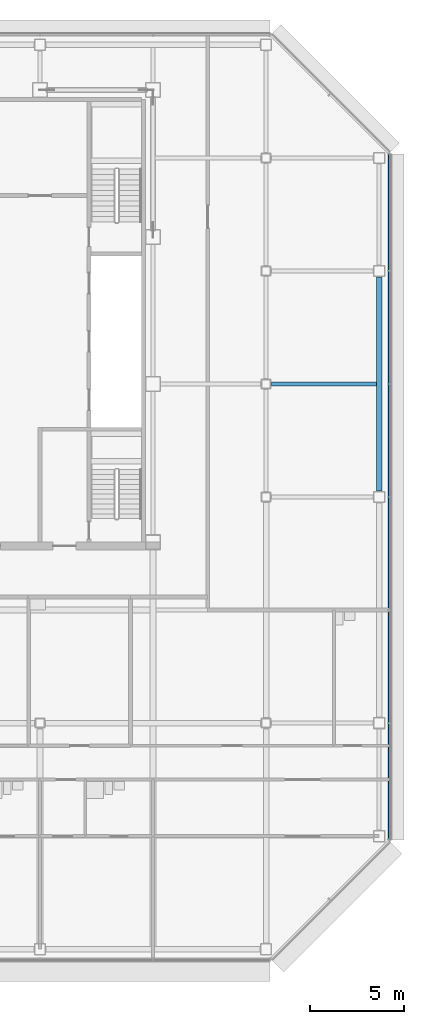
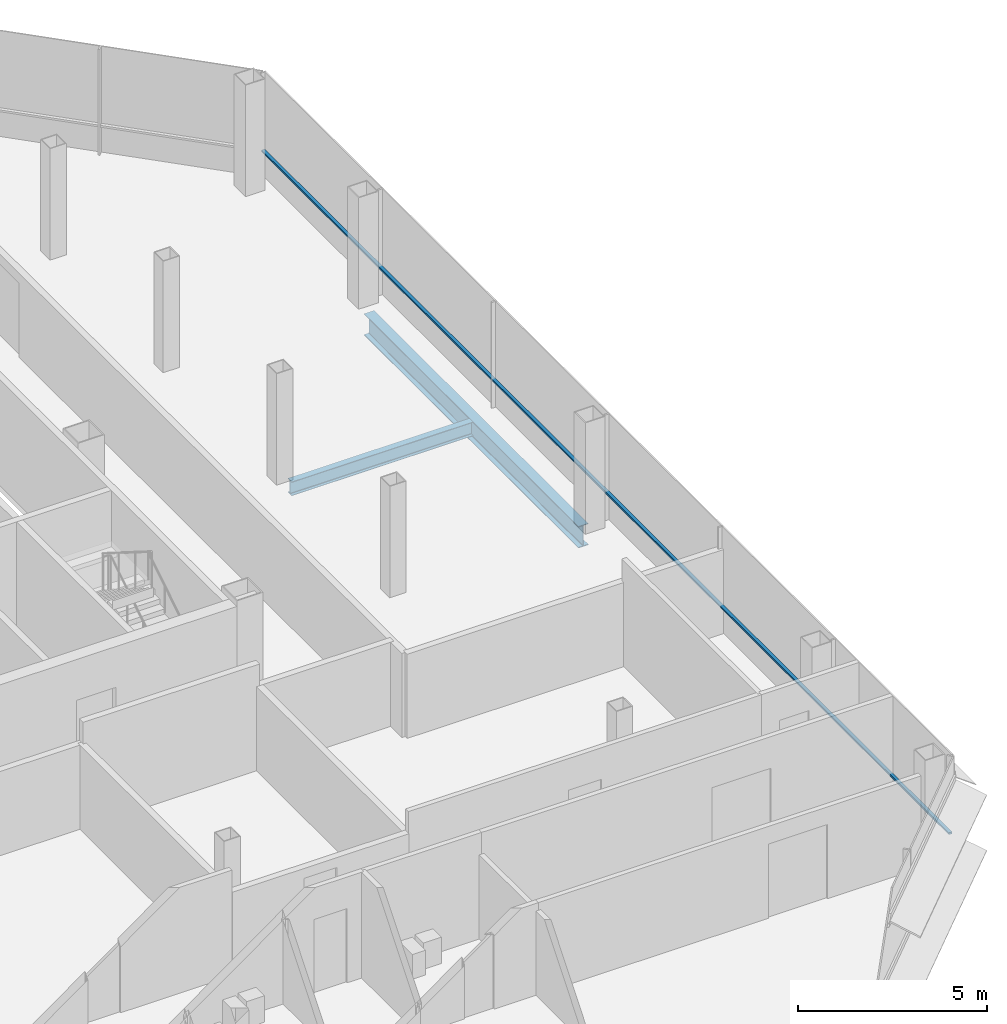
# One storey, part 18 of 27: 2 beams, 1 member, 1 element without a shape of its own.
"""IFC4 building model written with IfcOpenShell, lengths in metres."""

from ifc_helpers import new_model, si_unit, direction, frame, origin, origin_2d, place, context, subcontext, project, spatial, rectangle, i_section, extrude, material, material_profile, profile_set, type_object, element, aggregate, save


model = new_model("IFC4")

# Units and contexts
model_context = context("Model", 3, precision=1e-05, world=origin(), true_north=direction((0.0, 1.0)))
body_context = subcontext(model_context, "Body", "Model", "MODEL_VIEW")
ifc_project = project(units=[si_unit("LENGTHUNIT", "METRE"), si_unit("AREAUNIT", "SQUARE_METRE"), si_unit("VOLUMEUNIT", "CUBIC_METRE"), si_unit("PLANEANGLEUNIT", "RADIAN"), si_unit("MASSUNIT", "GRAM", prefix="KILO")], contexts=[model_context])

# Site, building, storey
site_placement = place(None, origin())
site = spatial("IfcSite", under=ifc_project, at=site_placement, CompositionType="ELEMENT")
building_placement = place(site_placement, origin())
building = spatial("IfcBuilding", under=site, at=building_placement, Name="Sorahane Residences", CompositionType="ELEMENT")
storey_placement = place(building_placement, frame((0.0, 0.0, 246.800048828125)))
storey = spatial("IfcBuildingStorey", under=building, at=storey_placement, Name="L58", CompositionType="ELEMENT", Elevation=246.800048828125)

# Curtain wall, member
ifc_material_1 = material(Name="Dark low-e glass and black anodised aluminium", Category="aluminium")
curtain_wall_type = type_object("IfcCurtainWallType", Name="Curtain wall CW-1 Typical unitised wall", PredefinedType="NOTDEFINED", material=ifc_material_1)
curtain_wall_placement = place(storey_placement, origin())
curtain_wall = element("IfcCurtainWall", 1, at=curtain_wall_placement, inside=storey, type_object=curtain_wall_type, Name="CW-1 curtain wall L58 E1", PredefinedType="NOTDEFINED")
ifc_material_2 = material(Name="Black anodised aluminium", Category="aluminium")
ifc_material_profile_1 = material_profile(ifc_material_2, rectangle(XDim=0.10009765625, YDim=0.06005859375, at=origin_2d()), Name="Curtain wall transom CW-1 black anodised aluminium 60x100")
ifc_profile_set_1 = profile_set([ifc_material_profile_1], Name="Black anodised aluminium")
member_type = type_object("IfcMemberType", Name="Curtain wall transom CW-1 black anodised aluminium 60x100", PredefinedType="USERDEFINED", material=ifc_profile_set_1)
member_placement = place(storey_placement, frame((54.530029296875, 5.801513671875, 0.89990234375), z_axis=(0.0, 1.0, 0.0), x_axis=(-1.0, 0.0, 0.0)))
member = element("IfcMember", 2, at=member_placement, type_object=member_type, Name="CW-1 transom L58 E1", ObjectType="TRANSOM", PredefinedType="USERDEFINED", context=body_context, shape_type="SweptSolid", body=[
    extrude(rectangle(XDim=0.10009765625, YDim=0.06005859375, at=origin_2d()), origin(), (0.0, 0.0, 1.0), 36.39697265625),
])
aggregate(curtain_wall, [member])

# Beams
ifc_material_3 = material(Name="Steel Q355B", Category="steel")
ifc_material_profile_2 = material_profile(ifc_material_3, i_section(OverallWidth=0.199951171875, OverallDepth=0.449951171875, WebThickness=0.009033203125, FlangeThickness=0.013916015625, FilletRadius=0.02001953125, at=origin_2d()), Name="HN 450x200x9x14")
ifc_profile_set_2 = profile_set([ifc_material_profile_2], Name="Steel Q355B")
beam_type_1 = type_object("IfcBeamType", Name="Steel floor beam HN 450x200x9x14 Q355B", PredefinedType="BEAM", material=ifc_profile_set_2)
beam_1_placement = place(storey_placement, frame((48.300048828125, 30.0, -0.405029296875), z_axis=(1.0, 0.0, 0.0), x_axis=(0.0, 1.0, 0.0)))
element("IfcBeam", 3, at=beam_1_placement, inside=storey, type_object=beam_type_1, Name="Beam L58 088", PredefinedType="BEAM", context=body_context, shape_type="SweptSolid", body=[
    extrude(i_section(OverallWidth=0.199951171875, OverallDepth=0.449951171875, WebThickness=0.009033203125, FlangeThickness=0.013916015625, FilletRadius=0.02001953125, at=origin_2d()), origin(), (0.0, 0.0, 1.0), 5.550048828125),
])
ifc_material_4 = material(Name="Steel Q355B", Category="steel")
ifc_material_profile_3 = material_profile(ifc_material_4, i_section(OverallWidth=0.300048828125, OverallDepth=0.699951171875, WebThickness=0.012939453125, FlangeThickness=0.02392578125, FilletRadius=0.028076171875, at=origin_2d()), Name="HN 700x300x13x24")
ifc_profile_set_3 = profile_set([ifc_material_profile_3], Name="Steel Q355B")
beam_type_2 = type_object("IfcBeamType", Name="Steel floor beam HN 700x300x13x24 Q355B", PredefinedType="BEAM", material=ifc_profile_set_3)
beam_2_placement = place(storey_placement, frame((54.0, 24.324951171875, -0.530029296875), z_axis=(0.0, 1.0, 0.0), x_axis=(-1.0, 0.0, 0.0)))
element("IfcBeam", 4, at=beam_2_placement, inside=storey, type_object=beam_type_2, Name="Beam L58 066", PredefinedType="BEAM", context=body_context, shape_type="SweptSolid", body=[
    extrude(i_section(OverallWidth=0.300048828125, OverallDepth=0.699951171875, WebThickness=0.012939453125, FlangeThickness=0.02392578125, FilletRadius=0.028076171875, at=origin_2d()), origin(), (0.0, 0.0, 1.0), 11.35009765625),
])

save(model, "model.ifc")
